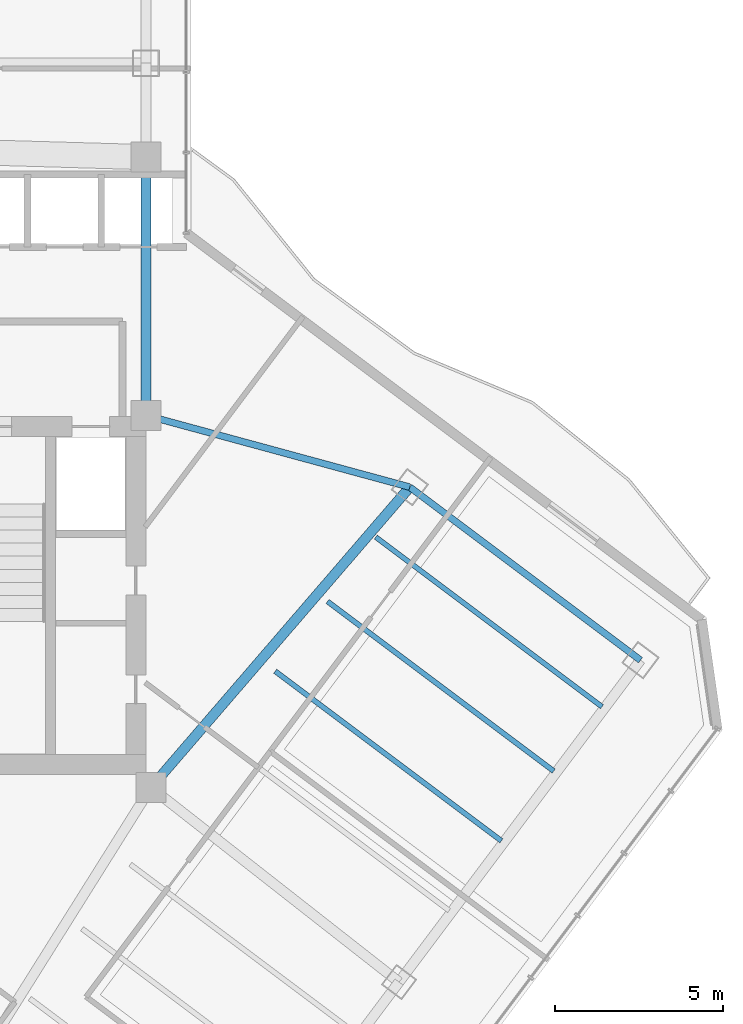
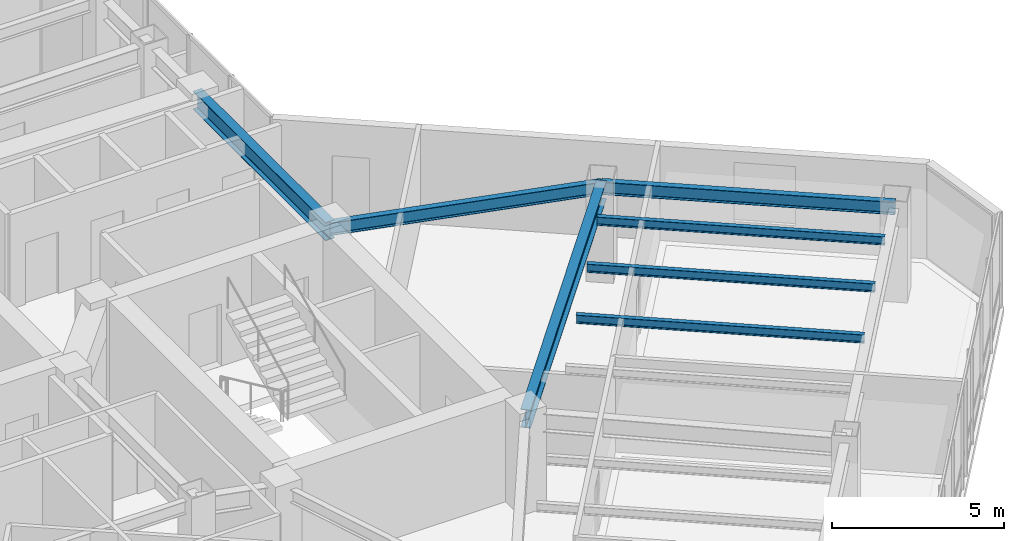
# One storey, part 14 of 27: 7 beams.
"""IFC4 building model written with IfcOpenShell, lengths in metres."""

from ifc_helpers import new_model, si_unit, direction, frame, origin, origin_2d, place, context, subcontext, project, spatial, i_section, extrude, material, material_profile, profile_set, type_object, element, save


model = new_model("IFC4")

# Units and contexts
model_context = context("Model", 3, precision=1e-05, world=origin(), true_north=direction((0.0, 1.0)))
body_context = subcontext(model_context, "Body", "Model", "MODEL_VIEW")
ifc_project = project(units=[si_unit("LENGTHUNIT", "METRE"), si_unit("AREAUNIT", "SQUARE_METRE"), si_unit("VOLUMEUNIT", "CUBIC_METRE"), si_unit("PLANEANGLEUNIT", "RADIAN"), si_unit("MASSUNIT", "GRAM", prefix="KILO")], contexts=[model_context])

# Site, building, storey
site_placement = place(None, origin())
site = spatial("IfcSite", under=ifc_project, at=site_placement, CompositionType="ELEMENT")
building_placement = place(site_placement, origin())
building = spatial("IfcBuilding", under=site, at=building_placement, Name="Hatsunagi Terrace Concourse", CompositionType="ELEMENT")
storey_placement = place(building_placement, frame((0.0, 0.0, 174.449951171875)))
storey = spatial("IfcBuildingStorey", under=building, at=storey_placement, Name="L46", CompositionType="ELEMENT", Elevation=174.449951171875)

# Beams
ifc_material_1 = material(Name="Steel SN490B", Category="steel")
ifc_material_profile_1 = material_profile(ifc_material_1, i_section(OverallWidth=0.14990234375, OverallDepth=0.300048828125, WebThickness=0.006591796875, FlangeThickness=0.009033203125, FilletRadius=0.010986328125, at=origin_2d()), Name="H-300x150x6.5x9")
ifc_profile_set_1 = profile_set([ifc_material_profile_1], Name="Steel SN490B")
beam_type_1 = type_object("IfcBeamType", Name="OfficeJoist_H_300x150", PredefinedType="JOIST", material=ifc_profile_set_1)
for number, where, z_axis, x_axis, name in (
    (1, (47.508056640625, 27.6689453125, 3.199951171875), (0.800003475366, -0.59999536615, 0.0), (0.59999536615, 0.800003475366, 0.0), "Beam J-03 J-L46-SE-2-168"),
    (2, (49.068115234375, 29.7490234375, 3.199951171875), (0.799989573921, -0.600013901187, 0.0), (0.600013901187, 0.799989573921, 0.0), "Beam J-03 J-L46-SE-2-194"),
    (3, (50.508056640625, 31.6689453125, 3.199951171875), (0.800003475366, -0.59999536615, 0.0), (0.59999536615, 0.800003475366, 0.0), "Beam J-03 J-L46-SE-2-218"),
):
    element("IfcBeam", number, at=place(storey_placement, frame(where, z_axis=z_axis, x_axis=x_axis)), inside=storey, type_object=beam_type_1, Name=name, PredefinedType="JOIST", context=body_context, shape_type="SweptSolid", body=[
        extrude(i_section(OverallWidth=0.14990234375, OverallDepth=0.300048828125, WebThickness=0.006591796875, FlangeThickness=0.009033203125, FilletRadius=0.010986328125, at=origin_2d()), origin(), (0.0, 0.0, 1.0), 8.429931640625),
    ])
ifc_material_2 = material(Name="Steel SN490B", Category="steel")
ifc_material_profile_2 = material_profile(ifc_material_2, i_section(OverallWidth=0.300048828125, OverallDepth=0.64990234375, WebThickness=0.012939453125, FlangeThickness=0.02197265625, FilletRadius=0.01806640625, at=origin_2d()), Name="H-650x300x13x22")
ifc_profile_set_2 = profile_set([ifc_material_profile_2], Name="Steel SN490B")
beam_type_2 = type_object("IfcBeamType", Name="OfficeLowGirder_H_650x300", PredefinedType="BEAM", material=ifc_profile_set_2)
beam_1_placement = place(storey_placement, frame((43.64990234375, 35.300048828125, 3.025146484375), z_axis=(0.0, 1.0, 0.0), x_axis=(-1.0, 0.0, 0.0)))
element("IfcBeam", 4, at=beam_1_placement, inside=storey, type_object=beam_type_2, Name="Beam G-05 BM-L46-CBK3", PredefinedType="BEAM", context=body_context, shape_type="SweptSolid", body=[
    extrude(i_section(OverallWidth=0.300048828125, OverallDepth=0.64990234375, WebThickness=0.012939453125, FlangeThickness=0.02197265625, FilletRadius=0.01806640625, at=origin_2d()), origin(), (0.0, 0.0, 1.0), 7.699951171875),
])
beam_2_placement = place(storey_placement, frame((43.800048828125, 24.199951171875, 3.025146484375), z_axis=(0.652739101421, 0.757582777969, 0.0), x_axis=(-0.757582777969, 0.652739101421, 0.0)))
element("IfcBeam", 5, at=beam_2_placement, inside=storey, type_object=beam_type_2, Name="Beam G-05 BM-L46-SET-1B", PredefinedType="BEAM", context=body_context, shape_type="SweptSolid", body=[
    extrude(i_section(OverallWidth=0.300048828125, OverallDepth=0.64990234375, WebThickness=0.012939453125, FlangeThickness=0.02197265625, FilletRadius=0.01806640625, at=origin_2d()), origin(), (0.0, 0.0, 1.0), 11.8271484375),
])
ifc_material_3 = material(Name="Steel SN490B", Category="steel")
ifc_material_profile_3 = material_profile(ifc_material_3, i_section(OverallWidth=0.199951171875, OverallDepth=0.449951171875, WebThickness=0.009033203125, FlangeThickness=0.013916015625, FilletRadius=0.01611328125, at=origin_2d()), Name="H-450x200x9x14")
ifc_profile_set_3 = profile_set([ifc_material_profile_3], Name="Steel SN490B")
beam_type_3 = type_object("IfcBeamType", Name="PerimeterSpandrel_H_450x200", PredefinedType="SPANDREL", material=ifc_profile_set_3)
beam_3_placement = place(storey_placement, frame((43.64990234375, 35.300048828125, 3.125), z_axis=(0.964958359286, -0.262403057994, 0.0), x_axis=(0.262403057994, 0.964958359286, 0.0)))
element("IfcBeam", 6, at=beam_3_placement, inside=storey, type_object=beam_type_3, Name="Beam SP-02 BM-L46-SE-NE0", PredefinedType="SPANDREL", context=body_context, shape_type="SweptSolid", body=[
    extrude(i_section(OverallWidth=0.199951171875, OverallDepth=0.449951171875, WebThickness=0.009033203125, FlangeThickness=0.013916015625, FilletRadius=0.01611328125, at=origin_2d()), origin(), (0.0, 0.0, 1.0), 8.156005859375),
])
beam_4_placement = place(storey_placement, frame((51.52001953125, 33.159912109375, 3.125), z_axis=(0.8, -0.6, 0.0), x_axis=(0.6, 0.8, 0.0)))
element("IfcBeam", 7, at=beam_4_placement, inside=storey, type_object=beam_type_3, Name="Beam SP-02 BM-L46-SE-NE2", PredefinedType="SPANDREL", context=body_context, shape_type="SweptSolid", body=[
    extrude(i_section(OverallWidth=0.199951171875, OverallDepth=0.449951171875, WebThickness=0.009033203125, FlangeThickness=0.013916015625, FilletRadius=0.01611328125, at=origin_2d()), origin(), (0.0, 0.0, 1.0), 8.599853515625),
])

save(model, "model.ifc")
